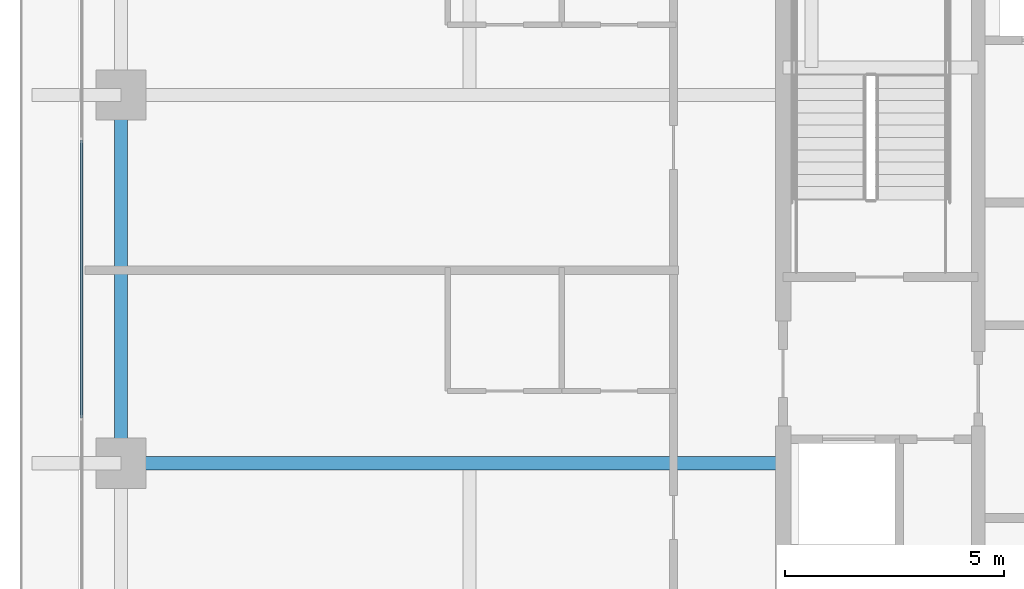
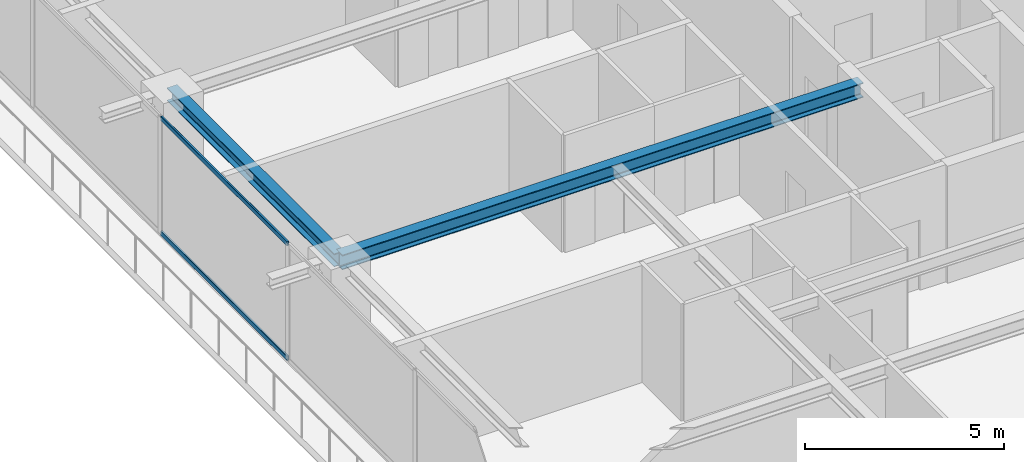
# One storey, part 8 of 38: 2 beams, 2 members, 1 element without a shape of its own.
"""IFC4 building model written with IfcOpenShell, lengths in metres."""

import ifcopenshell
import ifcopenshell.guid

model = None  # the IFC model being written
_history = None  # IfcOwnerHistory: only IFC2X3 demands one
_inside = {}  # id of a spatial element -> (the spatial element, [elements in it])
_under = {}  # id of a project, library or spatial element -> (it, [spatial elements below it])
_declared = {}  # id of a project -> (the project, [libraries it declares])
_typed = {}  # id of a type object -> (the type object, [elements of that type])
_made_of = {}  # id of a material, layer set ... -> (it, [elements and type objects made of it])


def new_model(schema):
    """Start an empty IFC model of exactly this schema.

    Asked for "IFC4X3", IfcOpenShell would pick the latest addendum, in which some entities
    have other attributes; the version numbers below select the first issue.
    IFC2X3 requires an IfcOwnerHistory on every rooted entity: one is made here for all.
    """
    global model, _history
    if schema == "IFC4X3":
        model = ifcopenshell.file(schema_version=(4, 3, 0, 0))
    else:
        model = ifcopenshell.file(schema=schema)
    _inside.clear()
    _under.clear()
    _declared.clear()
    _typed.clear()
    _made_of.clear()
    _history = None
    if model.schema == "IFC2X3":
        org = make("IfcOrganization", Name="unknown")
        user = make(
            "IfcPersonAndOrganization",
            ThePerson=make("IfcPerson", FamilyName="unknown"),
            TheOrganization=org,
        )
        app = make(
            "IfcApplication",
            ApplicationDeveloper=org,
            Version="unknown",
            ApplicationFullName="unknown",
            ApplicationIdentifier="unknown",
        )
        _history = make(
            "IfcOwnerHistory",
            OwningUser=user,
            OwningApplication=app,
            ChangeAction="ADDED",
            CreationDate=0,
        )
    return model


def make(cls, **values):
    """One entity of the class cls with the attributes given. An attribute that is None is left unset."""
    return model.create_entity(
        cls, **{name: value for name, value in values.items() if value is not None}
    )


def rooted(cls, **values):
    """An entity with a GlobalId (a new one), such as an element, a storey or a relation."""
    return make(cls, GlobalId=ifcopenshell.guid.new(), OwnerHistory=_history, **values)


def si_unit(unit_type, name, prefix=None):
    """IfcSIUnit, for example si_unit("LENGTHUNIT", "METRE", prefix="MILLI")."""
    return make("IfcSIUnit", UnitType=unit_type, Prefix=prefix, Name=name)


def assignment(units):
    """IfcUnitAssignment: the units of a project."""
    return None if units is None else make("IfcUnitAssignment", Units=units)


def point(xyz):
    """IfcCartesianPoint."""
    return None if xyz is None else make("IfcCartesianPoint", Coordinates=xyz)


def direction(xyz):
    """IfcDirection."""
    return None if xyz is None else make("IfcDirection", DirectionRatios=xyz)


def frame(location, z_axis=None, x_axis=None):
    """IfcAxis2Placement3D, a coordinate frame: its origin and axes. An axis left out is left unset."""
    return make(
        "IfcAxis2Placement3D",
        Location=point(location),
        Axis=direction(z_axis),
        RefDirection=direction(x_axis),
    )


def frame_2d(location, x_axis=None):
    """IfcAxis2Placement2D, a coordinate frame in the plane: its origin and x axis."""
    return make(
        "IfcAxis2Placement2D", Location=point(location), RefDirection=direction(x_axis)
    )


def origin():
    """The frame at (0, 0, 0) with its axes left unset."""
    return frame((0.0, 0.0, 0.0))


def origin_2d():
    """The frame at (0, 0) in the plane with its x axis left unset."""
    return frame_2d((0.0, 0.0))


def place(relative_to, where):
    """IfcLocalPlacement: puts the frame where relative to a parent placement (None: the world)."""
    return make(
        "IfcLocalPlacement", PlacementRelTo=relative_to, RelativePlacement=where
    )


def context(
    kind, dimensions, precision=None, world=None, true_north=None, identifier=None
):
    """IfcGeometricRepresentationContext, for example the 3D "Model" context."""
    return make(
        "IfcGeometricRepresentationContext",
        ContextIdentifier=identifier,
        ContextType=kind,
        CoordinateSpaceDimension=dimensions,
        Precision=precision,
        WorldCoordinateSystem=world,
        TrueNorth=true_north,
    )


def subcontext(parent, identifier, kind, view, scale=None):
    """IfcGeometricRepresentationSubContext, for example "Body" below "Model"."""
    return make(
        "IfcGeometricRepresentationSubContext",
        ContextIdentifier=identifier,
        ContextType=kind,
        ParentContext=parent,
        TargetScale=scale,
        TargetView=view,
    )


def project(units=None, contexts=None):
    """IfcProject with its units and contexts."""
    return rooted(
        "IfcProject",
        Name="project",
        RepresentationContexts=contexts,
        UnitsInContext=assignment(units),
    )


def spatial(cls, under=None, at=None, **own):
    """A site, building, storey or space (cls), placed at a placement, below another one or the project."""
    s = rooted(cls, ObjectPlacement=at, **own)
    if under is not None:
        _under.setdefault(under.id(), (under, []))[1].append(s)
    return s


def profile(cls, at=None, kind="AREA", **sizes):
    """A parametric profile (cls). Its sizes go by their IFC names, for example OverallWidth=200.0."""
    return make(cls, ProfileType=kind, Position=at, **sizes)


def hollow_rectangle(**sizes):
    """IfcRectangleHollowProfileDef."""
    return profile("IfcRectangleHollowProfileDef", **sizes)


def i_section(**sizes):
    """IfcIShapeProfileDef."""
    return profile("IfcIShapeProfileDef", **sizes)


def extrude(swept, where, along, depth):
    """IfcExtrudedAreaSolid: the profile swept, set in the frame where, extruded along a direction by depth."""
    return make(
        "IfcExtrudedAreaSolid",
        SweptArea=swept,
        Position=where,
        ExtrudedDirection=direction(along),
        Depth=depth,
    )


def shape(context_of_items, identifier, shape_type, items):
    """IfcShapeRepresentation: the items that make up one representation, for example the "Body"."""
    return make(
        "IfcShapeRepresentation",
        ContextOfItems=context_of_items,
        RepresentationIdentifier=identifier,
        RepresentationType=shape_type,
        Items=items,
    )


def source(mapping_origin, context_of_items, identifier, shape_type, items):
    """IfcRepresentationMap: a shape defined once, which mapped items show again and again."""
    return make(
        "IfcRepresentationMap",
        MappingOrigin=mapping_origin,
        MappedRepresentation=shape(context_of_items, identifier, shape_type, items),
    )


def transform(
    local_origin,
    x_axis=None,
    y_axis=None,
    z_axis=None,
    scale=None,
    scale2=None,
    scale3=None,
    uniform=True,
):
    """IfcCartesianTransformationOperator3D, or its non-uniform kind. x_axis, y_axis, z_axis: its Axis1, 2, 3."""
    if uniform:
        return make(
            "IfcCartesianTransformationOperator3D",
            Axis1=direction(x_axis),
            Axis2=direction(y_axis),
            LocalOrigin=point(local_origin),
            Scale=scale,
            Axis3=direction(z_axis),
        )
    return make(
        "IfcCartesianTransformationOperator3DnonUniform",
        Axis1=direction(x_axis),
        Axis2=direction(y_axis),
        LocalOrigin=point(local_origin),
        Scale=scale,
        Axis3=direction(z_axis),
        Scale2=scale2,
        Scale3=scale3,
    )


def mapped(mapping_source, mapping_target):
    """IfcMappedItem: shows the shape of a source again, moved by a transform."""
    return make(
        "IfcMappedItem", MappingSource=mapping_source, MappingTarget=mapping_target
    )


def material(Name=None, Category=None):
    """IfcMaterial."""
    return make("IfcMaterial", Name=Name, Category=Category)


def layer(
    of_material, thickness, ventilated=None, Name=None, Category=None, Priority=None
):
    """IfcMaterialLayer: one layer of a wall or slab, of a material (None: an air gap)."""
    return make(
        "IfcMaterialLayer",
        Material=of_material,
        LayerThickness=thickness,
        IsVentilated=ventilated,
        Name=Name,
        Category=Category,
        Priority=Priority,
    )


def layer_set(layers, Name=None):
    """IfcMaterialLayerSet."""
    return make("IfcMaterialLayerSet", MaterialLayers=layers, LayerSetName=Name)


def material_profile(
    of_material, cross_section, Name=None, Category=None, Priority=None
):
    """IfcMaterialProfile: a cross section and its material."""
    return make(
        "IfcMaterialProfile",
        Name=Name,
        Material=of_material,
        Profile=cross_section,
        Priority=Priority,
        Category=Category,
    )


def profile_set(profiles, Name=None, composite=None):
    """IfcMaterialProfileSet."""
    return make(
        "IfcMaterialProfileSet",
        Name=Name,
        MaterialProfiles=profiles,
        CompositeProfile=composite,
    )


def made_of(thing, what):
    """Note that an element or type object is made of a material, layer set ...; save() writes the relation."""
    if what is not None:
        _made_of.setdefault(what.id(), (what, []))[1].append(thing)
    return thing


def type_object(cls, material=None, **own):
    """A type object (cls), such as IfcWallType, which elements share."""
    return made_of(rooted(cls, **own), material)


def element(
    cls,
    number,
    at=None,
    inside=None,
    cuts=None,
    type_object=None,
    material=None,
    context=None,
    identifier="Body",
    shape_type=None,
    held_by="IfcProductDefinitionShape",
    body=None,
    shapes=None,
    **own,
):
    """One element of the class cls, such as IfcWall. Its Tag is "e" and its number.

    at: its placement. inside: the storey or other place that contains it. cuts: it is an
    opening in that element (IfcRelVoidsElement). A single representation is given by context,
    identifier, shape_type and body (its items); several are given by shapes. held_by: the class
    of the entity that holds the representations. save() writes the other relations.
    """
    e = rooted(cls, Tag="e%d" % number, ObjectPlacement=at, **own)
    if body is not None:
        shapes = [shape(context, identifier, shape_type, body)]
    if shapes is not None:
        e.Representation = make(held_by, Representations=shapes)
    if inside is not None:
        _inside.setdefault(inside.id(), (inside, []))[1].append(e)
    if cuts is not None:
        rooted(
            "IfcRelVoidsElement", RelatingBuildingElement=cuts, RelatedOpeningElement=e
        )
    if type_object is not None:
        _typed.setdefault(type_object.id(), (type_object, []))[1].append(e)
    return made_of(e, material)


def aggregate(whole, parts):
    """IfcRelAggregates: a whole, such as a stair, and the parts it consists of."""
    return rooted("IfcRelAggregates", RelatingObject=whole, RelatedObjects=parts)


def save(model, path):
    """Write the relations noted so far, then the file.

    IfcRelAggregates (storeys below a building ...), IfcRelContainedInSpatialStructure (elements
    in a storey), IfcRelDefinesByType, IfcRelAssociatesMaterial and IfcRelDeclares: one each for
    every whole, place, type object, material and project.
    """
    for whole, parts in _under.values():
        aggregate(whole, parts)
    for where, things in _inside.values():
        rooted(
            "IfcRelContainedInSpatialStructure",
            RelatedElements=things,
            RelatingStructure=where,
        )
    for kind, things in _typed.values():
        rooted("IfcRelDefinesByType", RelatedObjects=things, RelatingType=kind)
    for what, things in _made_of.values():
        rooted("IfcRelAssociatesMaterial", RelatedObjects=things, RelatingMaterial=what)
    for by, libraries in _declared.values():
        rooted("IfcRelDeclares", RelatingContext=by, RelatedDefinitions=libraries)
    model.write(path)


model = new_model("IFC4")

# Units and contexts
model_context = context("Model", 3, precision=1e-05, world=origin(), true_north=direction((0.0, 1.0)))
body_context = subcontext(model_context, "Body", "Model", "MODEL_VIEW")
ifc_project = project(units=[si_unit("LENGTHUNIT", "METRE"), si_unit("AREAUNIT", "SQUARE_METRE"), si_unit("VOLUMEUNIT", "CUBIC_METRE"), si_unit("PLANEANGLEUNIT", "RADIAN"), si_unit("MASSUNIT", "GRAM", prefix="KILO")], contexts=[model_context])

# Site, building, storey
site_placement = place(None, origin())
site = spatial("IfcSite", under=ifc_project, at=site_placement, CompositionType="ELEMENT")
building_placement = place(site_placement, origin())
building = spatial("IfcBuilding", under=site, at=building_placement, Name="Serunith Strait Residences", CompositionType="ELEMENT")
storey_placement = place(building_placement, frame((0.0, 0.0, 229.699951171875)))
storey = spatial("IfcBuildingStorey", under=building, at=storey_placement, Name="L57", CompositionType="ELEMENT", Elevation=229.699951171875)

# Beams
ifc_material_1 = material(Name="Steel S355J2", Category="steel")
ifc_material_profile_1 = material_profile(ifc_material_1, i_section(OverallWidth=0.300048828125, OverallDepth=0.449951171875, WebThickness=0.013916015625, FlangeThickness=0.02587890625, FilletRadius=0.027099609375, at=origin_2d()), Name="HEB 450")
ifc_profile_set_1 = profile_set([ifc_material_profile_1], Name="Steel S355J2")
beam_type_1 = type_object("IfcBeamType", Name="BM-HEB450", PredefinedType="BEAM", material=ifc_profile_set_1)
shared_shape_1 = source(origin(), body_context, "Body", "SweptSolid", [
    extrude(i_section(OverallWidth=0.300048828125, OverallDepth=0.449951171875, WebThickness=0.013916015625, FlangeThickness=0.02587890625, FilletRadius=0.027099609375, at=origin_2d()), origin(), (0.0, 0.0, 1.0), 15.099853515625),
])
beam_1_placement = place(storey_placement, frame((23.39990234375, 21.0, 3.362060546875), z_axis=(-1.0, 0.0, 0.0), x_axis=(0.0, -1.0, 0.0)))
element("IfcBeam", 1, at=beam_1_placement, inside=storey, type_object=beam_type_1, Name="L57 Primary Floor Girder TC-W2", PredefinedType="BEAM", context=body_context, shape_type="MappedRepresentation", body=[
    mapped(shared_shape_1, transform((0.0, 0.0, 0.0), scale=1.0)),
])
ifc_material_profile_2 = material_profile(ifc_material_1, i_section(OverallWidth=0.300048828125, OverallDepth=0.39990234375, WebThickness=0.013427734375, FlangeThickness=0.02392578125, FilletRadius=0.027099609375, at=origin_2d()), Name="HEB 400")
ifc_profile_set_2 = profile_set([ifc_material_profile_2], Name="Steel S355J2")
beam_type_2 = type_object("IfcBeamType", Name="BM-HEB400", PredefinedType="BEAM", material=ifc_profile_set_2)
shared_shape_2 = source(origin(), body_context, "Body", "SweptSolid", [
    extrude(i_section(OverallWidth=0.300048828125, OverallDepth=0.39990234375, WebThickness=0.013427734375, FlangeThickness=0.02392578125, FilletRadius=0.027099609375, at=origin_2d()), origin(), (0.0, 0.0, 1.0), 8.39990234375),
])
beam_2_placement = place(storey_placement, frame((8.300048828125, 29.39990234375, 3.386962890625), z_axis=(0.0, -1.0, 0.0), x_axis=(1.0, 0.0, 0.0)))
element("IfcBeam", 2, at=beam_2_placement, inside=storey, type_object=beam_type_2, Name="L57 Perimeter Ring Beam 14", PredefinedType="BEAM", context=body_context, shape_type="MappedRepresentation", body=[
    mapped(shared_shape_2, transform((0.0, 0.0, 0.0), scale=1.0)),
])

# Curtain wall, members
ifc_material_2 = material(Name="Pale-Champagne Anodised Aluminium", Category="aluminium")
ifc_layer = layer(ifc_material_2, 0.199951171875, Name="Pale-Champagne Anodised Aluminium")
ifc_layer_set = layer_set([ifc_layer], Name="Pale-Champagne Anodised Aluminium")
curtain_wall_type = type_object("IfcCurtainWallType", Name="CW-SYS4", PredefinedType="NOTDEFINED", material=ifc_layer_set)
curtain_wall_placement = place(storey_placement, origin())
curtain_wall = element("IfcCurtainWall", 3, at=curtain_wall_placement, inside=storey, type_object=curtain_wall_type, Name="L57 W Unitised Fritted Curtain Wall", PredefinedType="NOTDEFINED")
ifc_material_profile_3 = material_profile(ifc_material_2, hollow_rectangle(XDim=0.06005859375, YDim=0.139892578125, WallThickness=0.00341796875, InnerFilletRadius=0.00537109375, OuterFilletRadius=0.0087890625, at=origin_2d()), Name="ALU 140x60x3.5")
ifc_profile_set_3 = profile_set([ifc_material_profile_3], Name="Pale-Champagne Anodised Aluminium")
member_type = type_object("IfcMemberType", Name="CW-SYS4-TRAN", PredefinedType="USERDEFINED", material=ifc_profile_set_3)
shared_shape_3 = source(origin(), body_context, "Body", "SweptSolid", [
    extrude(hollow_rectangle(XDim=0.06005859375, YDim=0.139892578125, WallThickness=0.00341796875, InnerFilletRadius=0.00537109375, OuterFilletRadius=0.0087890625, at=origin_2d()), origin(), (0.0, 0.0, 1.0), 6.3349609375),
])
member_1_placement = place(storey_placement, frame((7.39990234375, 28.367431640625, 0.030029296875), z_axis=(0.0, -1.0, 0.0), x_axis=(1.0, 0.0, 0.0)))
member_1 = element("IfcMember", 4, at=member_1_placement, type_object=member_type, Name="CW-4 transom 3.1", ObjectType="TRANSOM", PredefinedType="USERDEFINED", context=body_context, shape_type="MappedRepresentation", body=[
    mapped(shared_shape_3, transform((0.0, 0.0, 0.0), scale=1.0)),
])
member_2_placement = place(storey_placement, frame((7.39990234375, 28.367431640625, 3.545166015625), z_axis=(0.0, -1.0, 0.0), x_axis=(1.0, 0.0, 0.0)))
member_2 = element("IfcMember", 5, at=member_2_placement, type_object=member_type, Name="CW-4 transom 3.2", ObjectType="TRANSOM", PredefinedType="USERDEFINED", context=body_context, shape_type="MappedRepresentation", body=[
    mapped(shared_shape_3, transform((0.0, 0.0, 0.0), scale=1.0)),
])
aggregate(curtain_wall, [member_1, member_2])

save(model, "model.ifc")
